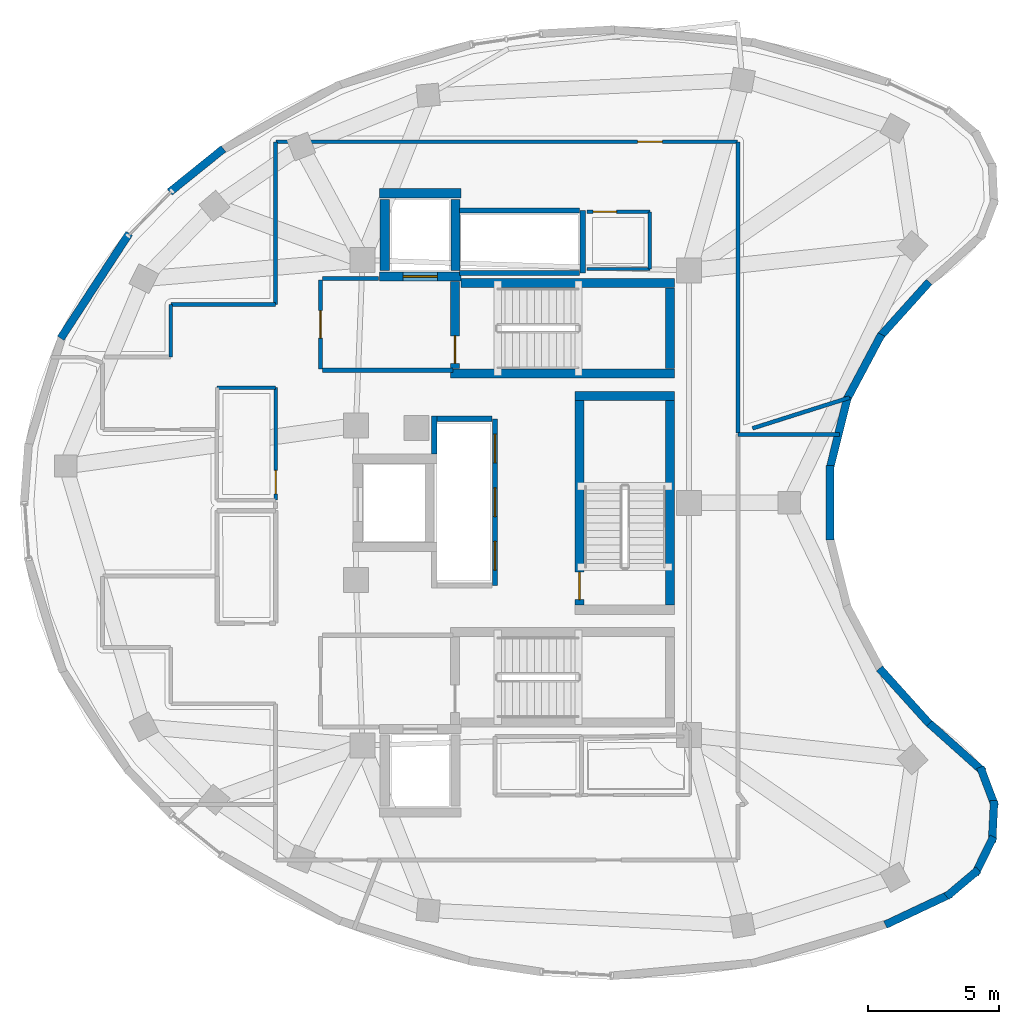
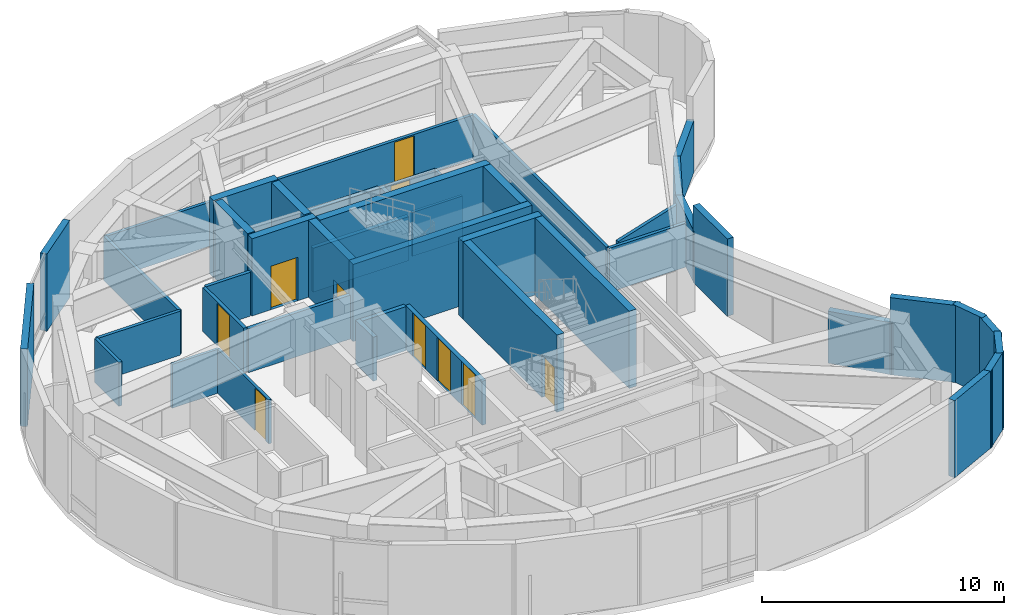
# One storey, part 5 of 8: 45 walls, 10 doors, 10 openings.
"""IFC4 building model written with IfcOpenShell, lengths in metres."""

from ifc_helpers import new_model, si_unit, direction, frame, frame_2d, origin, place, context, subcontext, project, spatial, rectangle, extrude, material, layer, layer_set, type_object, element, fill, save


model = new_model("IFC4")

# Units and contexts
model_context = context("Model", 3, precision=1e-05, world=origin(), true_north=direction((0.0, 1.0)))
body_context = subcontext(model_context, "Body", "Model", "MODEL_VIEW")
ifc_project = project(units=[si_unit("LENGTHUNIT", "METRE"), si_unit("AREAUNIT", "SQUARE_METRE"), si_unit("VOLUMEUNIT", "CUBIC_METRE"), si_unit("PLANEANGLEUNIT", "RADIAN"), si_unit("MASSUNIT", "GRAM", prefix="KILO")], contexts=[model_context])

# Site, building, storey
site_placement = place(None, origin())
site = spatial("IfcSite", under=ifc_project, at=site_placement, CompositionType="ELEMENT")
building_placement = place(site_placement, origin())
building = spatial("IfcBuilding", under=site, at=building_placement, Name="Korentha Bioscience Tower", CompositionType="ELEMENT")
storey_placement = place(building_placement, frame((0.0, 0.0, 301.800048828125)))
storey = spatial("IfcBuildingStorey", under=building, at=storey_placement, Name="L69", CompositionType="ELEMENT", Elevation=301.800048828125)

# Wall, opening, door
ifc_material_1 = material(Name="Double-Stud Acoustic Gypsum", Category="gypsum")
ifc_layer_1 = layer(ifc_material_1, 0.14990234375, Name="Double-Stud Acoustic Gypsum")
ifc_layer_set_1 = layer_set([ifc_layer_1], Name="Double-Stud Acoustic Gypsum (IW-L150)")
wall_type_1 = type_object("IfcWallType", Name="Acoustic Laboratory Partition Wall 150", PredefinedType="PARTITIONING", material=ifc_layer_set_1)
wall_1_placement = place(storey_placement, frame((39.39990234375, 40.760009765625, 0.0), z_axis=(0.0, 0.0, 1.0), x_axis=(-1.0, 0.0, 0.0)))
wall_1 = element("IfcWall", 1, at=wall_1_placement, inside=storey, type_object=wall_type_1, Name="L69 Peer-Review Conference Room 05 Entrance Wall", PredefinedType="PARTITIONING", context=body_context, shape_type="SweptSolid", body=[
    extrude(rectangle(XDim=17.599853515625, YDim=0.14990234375, at=frame_2d((8.7998046875, 0.0))), origin(), (0.0, 0.0, 1.0), 2.219970703125),
])
opening_1_placement = place(wall_1_placement, frame((2.867919921875, 0.0, 0.0)))
opening_1 = element("IfcOpeningElement", 2, at=opening_1_placement, cuts=wall_1, Name="Opening ID-10R", PredefinedType="OPENING", context=body_context, shape_type="SweptSolid", body=[
    extrude(rectangle(XDim=0.949951171875, YDim=2.14990234375, at=frame_2d((0.47509765625, 1.074951171875))), frame((0.0, 0.08984375, 0.0), z_axis=(0.0, -1.0, 0.0), x_axis=(1.0, 0.0, 0.0)), (0.0, 0.0, 1.0), 0.1796875),
])
ifc_material_2 = material(Name="Phenolic Laminate Timber Core", Category="wood")
door_type_1 = type_object("IfcDoorType", Name="Laboratory Single Leaf Door 950x2150 Right", OperationType="SINGLE_SWING_RIGHT", PredefinedType="DOOR", material=ifc_material_2)
door_1_placement = place(opening_1_placement, origin())
door_1 = element("IfcDoor", 3, at=door_1_placement, inside=storey, type_object=door_type_1, Name="L69 Peer-Review Conference Room 05 Door", OperationType="SINGLE_SWING_RIGHT", OverallHeight=2.14990234375, OverallWidth=0.949951171875, PredefinedType="DOOR", context=body_context, shape_type="SweptSolid", body=[
    extrude(rectangle(XDim=0.949951171875, YDim=2.14990234375, at=frame_2d((0.47509765625, 1.074951171875))), frame((0.0, 0.02490234375, 0.0), z_axis=(0.0, -1.0, 0.0), x_axis=(1.0, 0.0, 0.0)), (0.0, 0.0, 1.0), 0.050048828125),
])
fill(opening_1, door_1)

# Walls
wall_2_placement = place(storey_placement, frame((39.409912109375, 29.597900390625, 0.0), z_axis=(0.0, 0.0, 1.0), x_axis=(1.0, 0.0, 0.0)))
element("IfcWall", 4, at=wall_2_placement, inside=storey, type_object=wall_type_1, Name="L69 Interior Partition 045", PredefinedType="PARTITIONING", context=body_context, shape_type="SweptSolid", body=[
    extrude(rectangle(XDim=3.86376953125, YDim=0.14990234375, at=frame_2d((1.931884765625, 0.0))), origin(), (0.0, 0.0, 1.0), 2.219970703125),
])
wall_3_placement = place(storey_placement, frame((43.66455078125, 31.00927734375, 0.0), z_axis=(0.0, 0.0, 1.0), x_axis=(-0.953321695373, -0.301956528545, 0.0)))
element("IfcWall", 5, at=wall_3_placement, inside=storey, type_object=wall_type_1, Name="L69 Interior Partition 048", PredefinedType="PARTITIONING", context=body_context, shape_type="SweptSolid", body=[
    extrude(rectangle(XDim=3.87939453125, YDim=0.14990234375, at=frame_2d((1.939697265625, 0.0))), origin(), (0.0, 0.0, 1.0), 2.219970703125),
])
wall_4_placement = place(storey_placement, frame((39.409912109375, 29.661865234375, 0.0), z_axis=(0.0, 0.0, 1.0), x_axis=(0.0, 1.0, 0.0)))
element("IfcWall", 6, at=wall_4_placement, inside=storey, type_object=wall_type_1, Name="L69 Interior Partition 049", PredefinedType="PARTITIONING", context=body_context, shape_type="SweptSolid", body=[
    extrude(rectangle(XDim=11.088134765625, YDim=0.14990234375, at=frame_2d((5.5439453125, 0.0))), origin(), (0.0, 0.0, 1.0), 2.219970703125),
])
wall_5_placement = place(storey_placement, frame((21.7900390625, 40.75, 0.0), z_axis=(0.0, 0.0, 1.0), x_axis=(0.0, -1.0, 0.0)))
element("IfcWall", 7, at=wall_5_placement, inside=storey, type_object=wall_type_1, Name="L69 Interior Partition 050", PredefinedType="PARTITIONING", context=body_context, shape_type="SweptSolid", body=[
    extrude(rectangle(XDim=6.18994140625, YDim=0.14990234375, at=frame_2d((3.094970703125, 0.0))), origin(), (0.0, 0.0, 1.0), 2.219970703125),
])
wall_6_placement = place(storey_placement, frame((21.7900390625, 34.56005859375, 0.0), z_axis=(0.0, 0.0, 1.0), x_axis=(-1.0, 0.0, 0.0)))
element("IfcWall", 8, at=wall_6_placement, inside=storey, type_object=wall_type_1, Name="L69 Interior Partition 051", PredefinedType="PARTITIONING", context=body_context, shape_type="SweptSolid", body=[
    extrude(rectangle(XDim=3.989990234375, YDim=0.14990234375, at=frame_2d((1.9951171875, 0.0))), origin(), (0.0, 0.0, 1.0), 2.219970703125),
])
wall_7_placement = place(storey_placement, frame((17.7900390625, 34.550048828125, 0.0), z_axis=(0.0, 0.0, 1.0), x_axis=(0.0, -1.0, 0.0)))
element("IfcWall", 9, at=wall_7_placement, inside=storey, type_object=wall_type_1, Name="L69 Interior Partition 052", PredefinedType="PARTITIONING", context=body_context, shape_type="SweptSolid", body=[
    extrude(rectangle(XDim=1.998046875, YDim=0.14990234375, at=frame_2d((0.9990234375, 0.0))), origin(), (0.0, 0.0, 1.0), 2.219970703125),
])

# Wall, opening, door
ifc_material_3 = material(Name="Gypsum-Clad Steel Stud", Category="steel")
ifc_layer_2 = layer(ifc_material_3, 0.159912109375, Name="Gypsum-Clad Steel Stud")
ifc_layer_set_2 = layer_set([ifc_layer_2], Name="Gypsum-Clad Steel Stud (IW-C160)")
wall_type_2 = type_object("IfcWallType", Name="Fire-Rated Corridor Partition Wall 160", PredefinedType="PARTITIONING", material=ifc_layer_set_2)
wall_8_placement = place(storey_placement, frame((23.5, 32.10009765625, 0.0), z_axis=(0.0, 0.0, 1.0), x_axis=(0.0, 1.0, 0.0)))
wall_8 = element("IfcWall", 10, at=wall_8_placement, inside=storey, type_object=wall_type_2, Name="L69 FFLN-CW Rated Enclosure Wall", PredefinedType="PARTITIONING", context=body_context, shape_type="SweptSolid", body=[
    extrude(rectangle(XDim=3.39990234375, YDim=0.159912109375, at=frame_2d((1.699951171875, 0.0))), origin(), (0.0, 0.0, 1.0), 2.219970703125),
])
opening_2_placement = place(wall_8_placement, frame((1.175048828125, 0.0, 0.0)))
opening_2 = element("IfcOpeningElement", 11, at=opening_2_placement, cuts=wall_8, Name="Opening FD-90R", PredefinedType="OPENING", context=body_context, shape_type="SweptSolid", body=[
    extrude(rectangle(XDim=1.050048828125, YDim=2.14990234375, at=frame_2d((0.52490234375, 1.074951171875))), frame((0.0, 0.0947265625, 0.0), z_axis=(0.0, -1.0, 0.0), x_axis=(1.0, 0.0, 0.0)), (0.0, 0.0, 1.0), 0.189697265625),
])
ifc_material_4 = material(Name="Powder-Coated Fire-Rated Steel", Category="steel")
door_type_2 = type_object("IfcDoorType", Name="Stairwell Fire Exit Door 1050x2150 Right", OperationType="SINGLE_SWING_RIGHT", PredefinedType="DOOR", material=ifc_material_4)
door_2_placement = place(opening_2_placement, origin())
door_2 = element("IfcDoor", 12, at=door_2_placement, inside=storey, type_object=door_type_2, Name="L69 North Firefighting Lobby Door", OperationType="SINGLE_SWING_RIGHT", OverallHeight=2.14990234375, OverallWidth=1.050048828125, PredefinedType="DOOR", context=body_context, shape_type="SweptSolid", body=[
    extrude(rectangle(XDim=1.050048828125, YDim=2.14990234375, at=frame_2d((0.52490234375, 1.074951171875))), frame((0.0, 0.02490234375, 0.0), z_axis=(0.0, -1.0, 0.0), x_axis=(1.0, 0.0, 0.0)), (0.0, 0.0, 1.0), 0.050048828125),
])
fill(opening_2, door_2)

# Walls
wall_9_placement = place(storey_placement, frame((23.580078125, 32.050048828125, 0.0), z_axis=(0.0, 0.0, 1.0), x_axis=(1.0, 0.0, 0.0)))
element("IfcWall", 13, at=wall_9_placement, inside=storey, type_object=wall_type_2, Name="L69 Firefighting Lobby Return Wall FFLN-S", PredefinedType="PARTITIONING", context=body_context, shape_type="SweptSolid", body=[
    extrude(rectangle(XDim=4.969970703125, YDim=0.159912109375, at=frame_2d((2.48486328125, 0.0))), origin(), (0.0, 0.0, 1.0), 2.219970703125),
])
wall_10_placement = place(storey_placement, frame((23.580078125, 35.550048828125, 0.0), z_axis=(0.0, 0.0, 1.0), x_axis=(1.0, 0.0, 0.0)))
element("IfcWall", 14, at=wall_10_placement, inside=storey, type_object=wall_type_2, Name="L69 Firefighting Lobby Return Wall FFLN-N", PredefinedType="PARTITIONING", context=body_context, shape_type="SweptSolid", body=[
    extrude(rectangle(XDim=2.119873046875, YDim=0.159912109375, at=frame_2d((1.06005859375, 0.0))), origin(), (0.0, 0.0, 1.0), 2.219970703125),
])
ifc_material_5 = material(Name="Honed Limestone Precast Concrete C40", Category="masonry")
ifc_layer_3 = layer(ifc_material_5, 0.300048828125, Name="Honed Limestone Precast Concrete C40")
ifc_layer_set_3 = layer_set([ifc_layer_3], Name="Honed Limestone Precast Concrete C40 (EW-ST300)")
wall_type_3 = type_object("IfcWallType", Name="Honed Limestone Cavity Spandrel Wall 300", PredefinedType="STANDARD", material=ifc_layer_set_3)
wall_11_placement = place(storey_placement, frame((19.7998046875, 40.49267578125, 0.0), z_axis=(0.0, 0.0, 1.0), x_axis=(-0.778800498168, -0.627271698751, 0.0)))
element("IfcWall", 15, at=wall_11_placement, inside=storey, type_object=wall_type_3, Name="L69 Limestone Perimeter Closure Wall 12", PredefinedType="STANDARD", context=body_context, shape_type="SweptSolid", body=[
    extrude(rectangle(XDim=2.631103515625, YDim=0.300048828125, at=frame_2d((1.3154296875, 0.0))), origin(), (0.0, 0.0, 1.0), 3.89990234375),
])
wall_12_placement = place(storey_placement, frame((16.20849609375, 37.2685546875, 0.0), z_axis=(0.0, 0.0, 1.0), x_axis=(-0.546723072071, -0.837313491152, 0.0)))
element("IfcWall", 16, at=wall_12_placement, inside=storey, type_object=wall_type_3, Name="L69 Limestone Perimeter Closure Wall 14", PredefinedType="STANDARD", context=body_context, shape_type="SweptSolid", body=[
    extrude(rectangle(XDim=4.775390625, YDim=0.300048828125, at=frame_2d((2.3876953125, 0.0))), origin(), (0.0, 0.0, 1.0), 3.89990234375),
])
wall_13_placement = place(storey_placement, frame((45.027587890625, 10.917236328125, 0.0), z_axis=(0.0, 0.0, 1.0), x_axis=(0.904397474905, 0.426690997545, 0.0)))
element("IfcWall", 17, at=wall_13_placement, inside=storey, type_object=wall_type_3, Name="L69 Limestone Perimeter Closure Wall 36", PredefinedType="STANDARD", context=body_context, shape_type="SweptSolid", body=[
    extrude(rectangle(XDim=2.76123046875, YDim=0.300048828125, at=frame_2d((1.380615234375, 0.0))), origin(), (0.0, 0.0, 1.0), 3.89990234375),
])
for number, where, z_axis, x_axis, name in (
    (18, (47.361083984375, 11.990234375, 0.0), (0.0, 0.0, 1.0), (0.764911198117, 0.644135745783, 0.0), "L69 Limestone Perimeter Closure Wall 37"),
    (19, (48.444580078125, 12.845703125, 0.0), (0.0, 0.0, 1.0), (0.444199538262, 0.895927882258, 0.0), "L69 Limestone Perimeter Closure Wall 38"),
    (20, (49.096435546875, 14.0625, 0.0), (0.0, 0.0, 1.0), (0.04947778803, 0.998775224208, 0.0), "L69 Limestone Perimeter Closure Wall 39"),
    (21, (49.208251953125, 15.438232421875, 0.0), (0.0, 0.0, 1.0), (-0.353546976078, 0.935416771127, 0.0), "L69 Limestone Perimeter Closure Wall 40"),
):
    element("IfcWall", number, at=place(storey_placement, frame(where, z_axis=z_axis, x_axis=x_axis)), inside=storey, type_object=wall_type_3, Name=name, PredefinedType="STANDARD", context=body_context, shape_type="SweptSolid", body=[
        extrude(rectangle(XDim=1.5888671875, YDim=0.300048828125, at=frame_2d((0.79443359375, 0.0))), origin(), (0.0, 0.0, 1.0), 3.89990234375),
    ])
wall_14_placement = place(storey_placement, frame((48.772216796875, 16.74169921875, 0.0), z_axis=(0.0, 0.0, 1.0), x_axis=(-0.745805540728, 0.666163715178, 0.0)))
element("IfcWall", 22, at=wall_14_placement, inside=storey, type_object=wall_type_3, Name="L69 Limestone Perimeter Closure Wall 41", PredefinedType="STANDARD", context=body_context, shape_type="SweptSolid", body=[
    extrude(rectangle(XDim=2.91845703125, YDim=0.300048828125, at=frame_2d((1.459228515625, 0.0))), origin(), (0.0, 0.0, 1.0), 3.89990234375),
])
wall_15_placement = place(storey_placement, frame((46.697998046875, 18.583984375, 0.0), z_axis=(0.0, 0.0, 1.0), x_axis=(-0.66919836837, 0.743083806694, 0.0)))
element("IfcWall", 23, at=wall_15_placement, inside=storey, type_object=wall_type_3, Name="L69 Limestone Perimeter Closure Wall 43", PredefinedType="STANDARD", context=body_context, shape_type="SweptSolid", body=[
    extrude(rectangle(XDim=2.82861328125, YDim=0.300048828125, at=frame_2d((1.414306640625, 0.0))), origin(), (0.0, 0.0, 1.0), 2.625),
])
wall_16_placement = place(storey_placement, frame((42.92431640625, 25.585693359375, 0.0), z_axis=(0.0, 0.0, 1.0), x_axis=(0.0, 1.0, 0.0)))
element("IfcWall", 24, at=wall_16_placement, inside=storey, type_object=wall_type_3, Name="L69 Limestone Perimeter Closure Wall 49", PredefinedType="STANDARD", context=body_context, shape_type="SweptSolid", body=[
    extrude(rectangle(XDim=2.82861328125, YDim=0.300048828125, at=frame_2d((1.414306640625, 0.0))), origin(), (0.0, 0.0, 1.0), 3.89990234375),
])
for number, where, z_axis, x_axis, name in (
    (25, (42.9091796875, 28.29052734375, 0.0), (0.0, 0.0, 1.0), (0.241926331659, 0.970294620231, 0.0), "L69 Limestone Perimeter Closure Wall 51"),
    (26, (43.548828125, 30.918701171875, 0.0), (0.0, 0.0, 1.0), (0.469445489529, 0.882961455761, 0.0), "L69 Limestone Perimeter Closure Wall 53"),
    (27, (44.80517578125, 33.314208984375, 0.0), (0.0, 0.0, 1.0), (0.66919836837, 0.743083806694, 0.0), "L69 Limestone Perimeter Closure Wall 55"),
):
    element("IfcWall", number, at=place(storey_placement, frame(where, z_axis=z_axis, x_axis=x_axis)), inside=storey, type_object=wall_type_3, Name=name, PredefinedType="STANDARD", context=body_context, shape_type="SweptSolid", body=[
        extrude(rectangle(XDim=2.82861328125, YDim=0.300048828125, at=frame_2d((1.414306640625, 0.0))), origin(), (0.0, 0.0, 1.0), 2.625),
    ])
ifc_material_6 = material(Name="Autoclaved Aerated Concrete Block C25", Category="concrete")
ifc_layer_4 = layer(ifc_material_6, 0.199951171875, Name="Autoclaved Aerated Concrete Block C25")
ifc_layer_set_4 = layer_set([ifc_layer_4], Name="Autoclaved Aerated Concrete Block C25 (IW-S200)")
wall_type_4 = type_object("IfcWallType", Name="Lift and Riser Shaft Enclosure Wall 200", PredefinedType="PARTITIONING", material=ifc_layer_set_4)
wall_17_placement = place(storey_placement, frame((27.830078125, 28.85888671875, 0.0), z_axis=(0.0, 0.0, 1.0), x_axis=(0.0, 1.0, 0.0)))
element("IfcWall", 28, at=wall_17_placement, inside=storey, type_object=wall_type_4, Name="L69 Lift Bank HIGH Shaft Wall -XN", PredefinedType="PARTITIONING", context=body_context, shape_type="SweptSolid", body=[
    extrude(rectangle(XDim=1.441162109375, YDim=0.199951171875, at=frame_2d((0.720703125, 0.0))), origin(), (0.0, 0.0, 1.0), 2.219970703125),
])

# Wall, openings, doors
wall_18_placement = place(storey_placement, frame((30.14990234375, 23.85009765625, 0.0), z_axis=(0.0, 0.0, 1.0), x_axis=(0.0, 1.0, 0.0)))
wall_18 = element("IfcWall", 29, at=wall_18_placement, inside=storey, type_object=wall_type_4, Name="L69 Lift Bank HIGH Shaft Wall +X", PredefinedType="PARTITIONING", context=body_context, shape_type="SweptSolid", body=[
    extrude(rectangle(XDim=6.349853515625, YDim=0.199951171875, at=frame_2d((3.1748046875, 0.0))), origin(), (0.0, 0.0, 1.0), 2.219970703125),
])
opening_3_placement = place(wall_18_placement, frame((0.580078125, 0.0, 0.0)))
opening_3 = element("IfcOpeningElement", 30, at=opening_3_placement, cuts=wall_18, Name="Opening LD-11", PredefinedType="OPENING", context=body_context, shape_type="SweptSolid", body=[
    extrude(rectangle(XDim=1.10009765625, YDim=2.199951171875, at=frame_2d((0.550048828125, 1.10009765625))), frame((0.0, 0.11474609375, 0.0), z_axis=(0.0, -1.0, 0.0), x_axis=(1.0, 0.0, 0.0)), (0.0, 0.0, 1.0), 0.229736328125),
])
opening_4_placement = place(wall_18_placement, frame((2.6201171875, 0.0, 0.0)))
opening_4 = element("IfcOpeningElement", 31, at=opening_4_placement, cuts=wall_18, Name="Opening LD-11", PredefinedType="OPENING", context=body_context, shape_type="SweptSolid", body=[
    extrude(rectangle(XDim=1.10009765625, YDim=2.199951171875, at=frame_2d((0.550048828125, 1.10009765625))), frame((0.0, 0.11474609375, 0.0), z_axis=(0.0, -1.0, 0.0), x_axis=(1.0, 0.0, 0.0)), (0.0, 0.0, 1.0), 0.229736328125),
])
opening_5_placement = place(wall_18_placement, frame((4.669921875, 0.0, 0.0)))
opening_5 = element("IfcOpeningElement", 32, at=opening_5_placement, cuts=wall_18, Name="Opening LD-11", PredefinedType="OPENING", context=body_context, shape_type="SweptSolid", body=[
    extrude(rectangle(XDim=1.10009765625, YDim=2.199951171875, at=frame_2d((0.550048828125, 1.10009765625))), frame((0.0, 0.11474609375, 0.0), z_axis=(0.0, -1.0, 0.0), x_axis=(1.0, 0.0, 0.0)), (0.0, 0.0, 1.0), 0.229736328125),
])
ifc_material_7 = material(Name="Brushed Stainless Steel 304", Category="steel")
door_type_3 = type_object("IfcDoorType", Name="Passenger Lift Sliding Landing Door 1100x2200", OperationType="DOUBLE_DOOR_SLIDING", PredefinedType="DOOR", material=ifc_material_7)
door_3_placement = place(opening_3_placement, origin())
door_3 = element("IfcDoor", 33, at=door_3_placement, inside=storey, type_object=door_type_3, Name="L69 PL-H1 Sliding Lift Landing Door", OperationType="DOUBLE_DOOR_SLIDING", OverallHeight=2.199951171875, OverallWidth=1.10009765625, PredefinedType="DOOR", context=body_context, shape_type="SweptSolid", body=[
    extrude(rectangle(XDim=1.10009765625, YDim=2.199951171875, at=frame_2d((0.550048828125, 1.10009765625))), frame((0.0, 0.02490234375, 0.0), z_axis=(0.0, -1.0, 0.0), x_axis=(1.0, 0.0, 0.0)), (0.0, 0.0, 1.0), 0.050048828125),
])
fill(opening_3, door_3)
door_4_placement = place(opening_4_placement, origin())
door_4 = element("IfcDoor", 34, at=door_4_placement, inside=storey, type_object=door_type_3, Name="L69 PL-H2 Sliding Lift Landing Door", OperationType="DOUBLE_DOOR_SLIDING", OverallHeight=2.199951171875, OverallWidth=1.10009765625, PredefinedType="DOOR", context=body_context, shape_type="SweptSolid", body=[
    extrude(rectangle(XDim=1.10009765625, YDim=2.199951171875, at=frame_2d((0.550048828125, 1.10009765625))), frame((0.0, 0.02490234375, 0.0), z_axis=(0.0, -1.0, 0.0), x_axis=(1.0, 0.0, 0.0)), (0.0, 0.0, 1.0), 0.050048828125),
])
fill(opening_4, door_4)
door_5_placement = place(opening_5_placement, origin())
door_5 = element("IfcDoor", 35, at=door_5_placement, inside=storey, type_object=door_type_3, Name="L69 PL-H3 Sliding Lift Landing Door", OperationType="DOUBLE_DOOR_SLIDING", OverallHeight=2.199951171875, OverallWidth=1.10009765625, PredefinedType="DOOR", context=body_context, shape_type="SweptSolid", body=[
    extrude(rectangle(XDim=1.10009765625, YDim=2.199951171875, at=frame_2d((0.550048828125, 1.10009765625))), frame((0.0, 0.02490234375, 0.0), z_axis=(0.0, -1.0, 0.0), x_axis=(1.0, 0.0, 0.0)), (0.0, 0.0, 1.0), 0.050048828125),
])
fill(opening_5, door_5)

# Walls
wall_19_placement = place(storey_placement, frame((27.93408203125, 30.199951171875, 0.0), z_axis=(0.0, 0.0, 1.0), x_axis=(1.0, 0.0, 0.0)))
element("IfcWall", 36, at=wall_19_placement, inside=storey, type_object=wall_type_4, Name="L69 Lift Bank HIGH Shaft Wall +Y", PredefinedType="PARTITIONING", context=body_context, shape_type="SweptSolid", body=[
    extrude(rectangle(XDim=2.095947265625, YDim=0.199951171875, at=frame_2d((1.0478515625, 0.0))), origin(), (0.0, 0.0, 1.0), 2.219970703125),
])
wall_20_placement = place(storey_placement, frame((33.489990234375, 35.760009765625, 0.0), z_axis=(0.0, 0.0, 1.0), x_axis=(0.0, 1.0, 0.0)))
element("IfcWall", 37, at=wall_20_placement, inside=storey, type_object=wall_type_4, Name="L69 Lift Bank OBS Shaft Wall +X", PredefinedType="PARTITIONING", context=body_context, shape_type="SweptSolid", body=[
    extrude(rectangle(XDim=2.3798828125, YDim=0.199951171875, at=frame_2d((1.18994140625, 0.0))), origin(), (0.0, 0.0, 1.0), 2.219970703125),
])
for number, where, z_axis, x_axis, name in (
    (38, (28.800048828125, 35.760009765625, 0.0), (0.0, 0.0, 1.0), (1.0, 0.0, 0.0), "L69 Lift Bank OBS Shaft Wall -Y"),
    (39, (28.800048828125, 38.139892578125, 0.0), (0.0, 0.0, 1.0), (1.0, 0.0, 0.0), "L69 Lift Bank OBS Shaft Wall +Y"),
):
    element("IfcWall", number, at=place(storey_placement, frame(where, z_axis=z_axis, x_axis=x_axis)), inside=storey, type_object=wall_type_4, Name=name, PredefinedType="PARTITIONING", context=body_context, shape_type="SweptSolid", body=[
        extrude(rectangle(XDim=4.570068359375, YDim=0.199951171875, at=frame_2d((2.28515625, 0.0))), origin(), (0.0, 0.0, 1.0), 2.219970703125),
    ])
ifc_material_8 = material(Name="Concrete C50", Category="concrete")
ifc_layer_5 = layer(ifc_material_8, 0.35009765625, Name="Concrete C50")
ifc_layer_set_5 = layer_set([ifc_layer_5], Name="Concrete C50 (CW-C50)")
wall_type_5 = type_object("IfcWallType", Name="Upper Core Shear Wall 350", PredefinedType="SHEAR", material=ifc_layer_set_5)
wall_21_placement = place(storey_placement, frame((28.85205078125, 35.375, 0.0), z_axis=(0.0, 0.0, 1.0), x_axis=(1.0, 0.0, 0.0)))
element("IfcWall", 40, at=wall_21_placement, inside=storey, type_object=wall_type_5, Name="L69 Core Shear Wall ST1-N", PredefinedType="SHEAR", context=body_context, shape_type="SweptSolid", body=[
    extrude(rectangle(XDim=8.14794921875, YDim=0.35009765625, at=frame_2d((4.073974609375, 0.0))), origin(), (0.0, 0.0, 1.0), 3.89990234375),
])
wall_22_placement = place(storey_placement, frame((28.449951171875, 31.925048828125, 0.0), z_axis=(0.0, 0.0, 1.0), x_axis=(1.0, 0.0, 0.0)))
element("IfcWall", 41, at=wall_22_placement, inside=storey, type_object=wall_type_5, Name="L69 Core Shear Wall ST1-S", PredefinedType="SHEAR", context=body_context, shape_type="SweptSolid", body=[
    extrude(rectangle(XDim=8.550048828125, YDim=0.35009765625, at=frame_2d((4.27490234375, 0.0))), origin(), (0.0, 0.0, 1.0), 3.89990234375),
])
wall_23_placement = place(storey_placement, frame((36.824951171875, 32.110107421875, 0.0), z_axis=(0.0, 0.0, 1.0), x_axis=(0.0, 1.0, 0.0)))
element("IfcWall", 42, at=wall_23_placement, inside=storey, type_object=wall_type_5, Name="L69 Core Shear Wall ST1-E", PredefinedType="SHEAR", context=body_context, shape_type="SweptSolid", body=[
    extrude(rectangle(XDim=3.079833984375, YDim=0.35009765625, at=frame_2d((1.5400390625, 0.0))), origin(), (0.0, 0.0, 1.0), 3.89990234375),
])

# Wall, opening, door
wall_24_placement = place(storey_placement, frame((28.625, 32.110107421875, 0.0), z_axis=(0.0, 0.0, 1.0), x_axis=(0.0, 1.0, 0.0)))
wall_24 = element("IfcWall", 43, at=wall_24_placement, inside=storey, type_object=wall_type_5, Name="L69 Core Shear Wall ST1-W", PredefinedType="SHEAR", context=body_context, shape_type="SweptSolid", body=[
    extrude(rectangle(XDim=3.3330078125, YDim=0.35009765625, at=frame_2d((1.66650390625, 0.0))), origin(), (0.0, 0.0, 1.0), 3.89990234375),
])
opening_6_placement = place(wall_24_placement, frame((0.199951171875, 0.0, 0.0)))
opening_6 = element("IfcOpeningElement", 44, at=opening_6_placement, cuts=wall_24, Name="Opening FD-90R", PredefinedType="OPENING", context=body_context, shape_type="SweptSolid", body=[
    extrude(rectangle(XDim=1.050048828125, YDim=2.14990234375, at=frame_2d((0.52490234375, 1.074951171875))), frame((0.0, 0.18994140625, 0.0), z_axis=(0.0, -1.0, 0.0), x_axis=(1.0, 0.0, 0.0)), (0.0, 0.0, 1.0), 0.3798828125),
])
door_6_placement = place(opening_6_placement, origin())
door_6 = element("IfcDoor", 45, at=door_6_placement, inside=storey, type_object=door_type_2, Name="L69 ST-1 Fire Exit Stair Door", OperationType="SINGLE_SWING_RIGHT", OverallHeight=2.14990234375, OverallWidth=1.050048828125, PredefinedType="DOOR", context=body_context, shape_type="SweptSolid", body=[
    extrude(rectangle(XDim=1.050048828125, YDim=2.14990234375, at=frame_2d((0.52490234375, 1.074951171875))), frame((0.0, 0.02490234375, 0.0), z_axis=(0.0, -1.0, 0.0), x_axis=(1.0, 0.0, 0.0)), (0.0, 0.0, 1.0), 0.050048828125),
])
fill(opening_6, door_6)

# Walls
wall_25_placement = place(storey_placement, frame((33.199951171875, 31.074951171875, 0.0), z_axis=(0.0, 0.0, 1.0), x_axis=(1.0, 0.0, 0.0)))
element("IfcWall", 46, at=wall_25_placement, inside=storey, type_object=wall_type_5, Name="L69 Core Shear Wall ST3-N", PredefinedType="SHEAR", context=body_context, shape_type="SweptSolid", body=[
    extrude(rectangle(XDim=3.800048828125, YDim=0.35009765625, at=frame_2d((1.89990234375, 0.0))), origin(), (0.0, 0.0, 1.0), 3.89990234375),
])
wall_26_placement = place(storey_placement, frame((36.824951171875, 23.110107421875, 0.0), z_axis=(0.0, 0.0, 1.0), x_axis=(0.0, 1.0, 0.0)))
element("IfcWall", 47, at=wall_26_placement, inside=storey, type_object=wall_type_5, Name="L69 Core Shear Wall ST3-E", PredefinedType="SHEAR", context=body_context, shape_type="SweptSolid", body=[
    extrude(rectangle(XDim=7.77978515625, YDim=0.35009765625, at=frame_2d((3.889892578125, 0.0))), origin(), (0.0, 0.0, 1.0), 3.89990234375),
])

# Wall, opening, door
wall_27_placement = place(storey_placement, frame((33.375, 23.110107421875, 0.0), z_axis=(0.0, 0.0, 1.0), x_axis=(0.0, 1.0, 0.0)))
wall_27 = element("IfcWall", 48, at=wall_27_placement, inside=storey, type_object=wall_type_5, Name="L69 Core Shear Wall ST3-W", PredefinedType="SHEAR", context=body_context, shape_type="SweptSolid", body=[
    extrude(rectangle(XDim=7.77978515625, YDim=0.35009765625, at=frame_2d((3.889892578125, 0.0))), origin(), (0.0, 0.0, 1.0), 3.89990234375),
])
opening_7_placement = place(wall_27_placement, frame((0.199951171875, 0.0, 0.0)))
opening_7 = element("IfcOpeningElement", 49, at=opening_7_placement, cuts=wall_27, Name="Opening FD-90R", PredefinedType="OPENING", context=body_context, shape_type="SweptSolid", body=[
    extrude(rectangle(XDim=1.050048828125, YDim=2.14990234375, at=frame_2d((0.52490234375, 1.074951171875))), frame((0.0, 0.18994140625, 0.0), z_axis=(0.0, -1.0, 0.0), x_axis=(1.0, 0.0, 0.0)), (0.0, 0.0, 1.0), 0.3798828125),
])
door_7_placement = place(opening_7_placement, origin())
door_7 = element("IfcDoor", 50, at=door_7_placement, inside=storey, type_object=door_type_2, Name="L69 ST-3 Fire Exit Stair Door", OperationType="SINGLE_SWING_RIGHT", OverallHeight=2.14990234375, OverallWidth=1.050048828125, PredefinedType="DOOR", context=body_context, shape_type="SweptSolid", body=[
    extrude(rectangle(XDim=1.050048828125, YDim=2.14990234375, at=frame_2d((0.52490234375, 1.074951171875))), frame((0.0, 0.02490234375, 0.0), z_axis=(0.0, -1.0, 0.0), x_axis=(1.0, 0.0, 0.0)), (0.0, 0.0, 1.0), 0.050048828125),
])
fill(opening_7, door_7)

# Wall
wall_28_placement = place(storey_placement, frame((25.75, 38.800048828125, 0.0), z_axis=(0.0, 0.0, 1.0), x_axis=(1.0, 0.0, 0.0)))
element("IfcWall", 51, at=wall_28_placement, inside=storey, type_object=wall_type_5, Name="L69 Core Shear Wall FFL2-N", PredefinedType="SHEAR", context=body_context, shape_type="SweptSolid", body=[
    extrude(rectangle(XDim=3.10009765625, YDim=0.35009765625, at=frame_2d((1.550048828125, 0.0))), origin(), (0.0, 0.0, 1.0), 3.89990234375),
])

# Wall, opening, door
wall_29_placement = place(storey_placement, frame((25.75, 35.6201171875, 0.0), z_axis=(0.0, 0.0, 1.0), x_axis=(1.0, 0.0, 0.0)))
wall_29 = element("IfcWall", 52, at=wall_29_placement, inside=storey, type_object=wall_type_5, Name="L69 Core Shear Wall FFL2-S", PredefinedType="SHEAR", context=body_context, shape_type="SweptSolid", body=[
    extrude(rectangle(XDim=3.10009765625, YDim=0.35009765625, at=frame_2d((1.550048828125, 0.0))), origin(), (0.0, 0.0, 1.0), 3.89990234375),
])
opening_8_placement = place(wall_29_placement, frame((0.89990234375, 0.0, 0.0)))
opening_8 = element("IfcOpeningElement", 53, at=opening_8_placement, cuts=wall_29, Name="Opening LD-13", PredefinedType="OPENING", context=body_context, shape_type="SweptSolid", body=[
    extrude(rectangle(XDim=1.300048828125, YDim=2.199951171875, at=frame_2d((0.64990234375, 1.10009765625))), frame((0.0, 0.18994140625, 0.0), z_axis=(0.0, -1.0, 0.0), x_axis=(1.0, 0.0, 0.0)), (0.0, 0.0, 1.0), 0.3798828125),
])
ifc_material_9 = material(Name="Brushed Stainless Steel 316", Category="steel")
door_type_4 = type_object("IfcDoorType", Name="Service & Firefighting Lift Landing Door 1300x2300", OperationType="DOUBLE_DOOR_SLIDING", PredefinedType="DOOR", material=ifc_material_9)
door_8_placement = place(opening_8_placement, origin())
door_8 = element("IfcDoor", 54, at=door_8_placement, inside=storey, type_object=door_type_4, Name="L69 FFL-2 Sliding Lift Landing Door", OperationType="DOUBLE_DOOR_SLIDING", OverallHeight=2.199951171875, OverallWidth=1.300048828125, PredefinedType="DOOR", context=body_context, shape_type="SweptSolid", body=[
    extrude(rectangle(XDim=1.300048828125, YDim=2.199951171875, at=frame_2d((0.64990234375, 1.10009765625))), frame((0.0, 0.02490234375, 0.0), z_axis=(0.0, -1.0, 0.0), x_axis=(1.0, 0.0, 0.0)), (0.0, 0.0, 1.0), 0.050048828125),
])
fill(opening_8, door_8)

# Walls
for number, where, z_axis, x_axis, name in (
    (55, (25.949951171875, 35.860107421875, 0.0), (0.0, 0.0, 1.0), (0.0, 1.0, 0.0), "L69 Core Shear Wall FFL2-W"),
    (56, (28.64990234375, 35.860107421875, 0.0), (0.0, 0.0, 1.0), (0.0, 1.0, 0.0), "L69 Core Shear Wall FFL2-E"),
):
    element("IfcWall", number, at=place(storey_placement, frame(where, z_axis=z_axis, x_axis=x_axis)), inside=storey, type_object=wall_type_5, Name=name, PredefinedType="SHEAR", context=body_context, shape_type="SweptSolid", body=[
        extrude(rectangle(XDim=2.699951171875, YDim=0.35009765625, at=frame_2d((1.35009765625, 0.0))), origin(), (0.0, 0.0, 1.0), 3.89990234375),
    ])

# Wall, opening, door
ifc_material_10 = material(Name="Cement-Board Steel Stud", Category="steel")
ifc_layer_6 = layer(ifc_material_10, 0.1298828125, Name="Cement-Board Steel Stud")
ifc_layer_set_6 = layer_set([ifc_layer_6], Name="Cement-Board Steel Stud (IW-W130)")
wall_type_6 = type_object("IfcWallType", Name="Wet-Area Moisture-Resistant Partition 130", PredefinedType="PARTITIONING", material=ifc_layer_set_6)
wall_30_placement = place(storey_placement, frame((33.64990234375, 38.090087890625, 0.0), z_axis=(0.0, 0.0, 1.0), x_axis=(1.0, 0.0, 0.0)))
wall_30 = element("IfcWall", 57, at=wall_30_placement, inside=storey, type_object=wall_type_6, Name="L69 Accessible Staff WC Entrance Wall", PredefinedType="PARTITIONING", context=body_context, shape_type="SweptSolid", body=[
    extrude(rectangle(XDim=2.400146484375, YDim=0.1298828125, at=frame_2d((1.2001953125, 0.0))), origin(), (0.0, 0.0, 1.0), 2.219970703125),
])
opening_9_placement = place(wall_30_placement, frame((0.239990234375, 0.0, 0.0)))
opening_9 = element("IfcOpeningElement", 58, at=opening_9_placement, cuts=wall_30, Name="Opening ID-09L", PredefinedType="OPENING", context=body_context, shape_type="SweptSolid", body=[
    extrude(rectangle(XDim=0.89990234375, YDim=2.14990234375, at=frame_2d((0.449951171875, 1.074951171875))), frame((0.0, 0.079833984375, 0.0), z_axis=(0.0, -1.0, 0.0), x_axis=(1.0, 0.0, 0.0)), (0.0, 0.0, 1.0), 0.15966796875),
])
ifc_material_11 = material(Name="Moisture-Resistant HPL Leaf", Category="wood")
door_type_5 = type_object("IfcDoorType", Name="Restroom & Accessible WC Door 900x2150 Left", OperationType="SINGLE_SWING_LEFT", PredefinedType="DOOR", material=ifc_material_11)
door_9_placement = place(opening_9_placement, origin())
door_9 = element("IfcDoor", 59, at=door_9_placement, inside=storey, type_object=door_type_5, Name="L69 Accessible Staff WC Door", OperationType="SINGLE_SWING_LEFT", OverallHeight=2.14990234375, OverallWidth=0.89990234375, PredefinedType="DOOR", context=body_context, shape_type="SweptSolid", body=[
    extrude(rectangle(XDim=0.89990234375, YDim=2.14990234375, at=frame_2d((0.449951171875, 1.074951171875))), frame((0.0, 0.02490234375, 0.0), z_axis=(0.0, -1.0, 0.0), x_axis=(1.0, 0.0, 0.0)), (0.0, 0.0, 1.0), 0.050048828125),
])
fill(opening_9, door_9)

wall_31_placement = place(storey_placement, frame((21.7900390625, 31.389892578125, 0.0), z_axis=(0.0, 0.0, 1.0), x_axis=(0.0, -1.0, 0.0)))
wall_31 = element("IfcWall", 60, at=wall_31_placement, inside=storey, type_object=wall_type_6, Name="L69 Reclaimed Bank-2 Accessible Staff WC Entrance Wall", PredefinedType="PARTITIONING", context=body_context, shape_type="SweptSolid", body=[
    extrude(rectangle(XDim=4.289794921875, YDim=0.1298828125, at=frame_2d((2.14501953125, 0.0))), origin(), (0.0, 0.0, 1.0), 2.219970703125),
])
opening_10_placement = place(wall_31_placement, frame((3.14990234375, 0.0, 0.0)))
opening_10 = element("IfcOpeningElement", 61, at=opening_10_placement, cuts=wall_31, Name="Opening ID-09L", PredefinedType="OPENING", context=body_context, shape_type="SweptSolid", body=[
    extrude(rectangle(XDim=0.89990234375, YDim=2.14990234375, at=frame_2d((0.449951171875, 1.074951171875))), frame((0.0, 0.079833984375, 0.0), z_axis=(0.0, -1.0, 0.0), x_axis=(1.0, 0.0, 0.0)), (0.0, 0.0, 1.0), 0.15966796875),
])
door_10_placement = place(opening_10_placement, origin())
door_10 = element("IfcDoor", 62, at=door_10_placement, inside=storey, type_object=door_type_5, Name="L69 Reclaimed Bank-2 Accessible Staff WC Door", OperationType="SINGLE_SWING_LEFT", OverallHeight=2.14990234375, OverallWidth=0.89990234375, PredefinedType="DOOR", context=body_context, shape_type="SweptSolid", body=[
    extrude(rectangle(XDim=0.89990234375, YDim=2.14990234375, at=frame_2d((0.449951171875, 1.074951171875))), frame((0.0, 0.02490234375, 0.0), z_axis=(0.0, -1.0, 0.0), x_axis=(1.0, 0.0, 0.0)), (0.0, 0.0, 1.0), 0.050048828125),
])
fill(opening_10, door_10)

# Walls
wall_32_placement = place(storey_placement, frame((36.050048828125, 35.909912109375, 0.0), z_axis=(0.0, 0.0, 1.0), x_axis=(-1.0, 0.0, 0.0)))
element("IfcWall", 63, at=wall_32_placement, inside=storey, type_object=wall_type_6, Name="L69 Interior Partition 013", PredefinedType="PARTITIONING", context=body_context, shape_type="SweptSolid", body=[
    extrude(rectangle(XDim=2.400146484375, YDim=0.1298828125, at=frame_2d((1.2001953125, 0.0))), origin(), (0.0, 0.0, 1.0), 2.219970703125),
])
wall_33_placement = place(storey_placement, frame((36.050048828125, 38.090087890625, 0.0), z_axis=(0.0, 0.0, 1.0), x_axis=(0.0, -1.0, 0.0)))
element("IfcWall", 64, at=wall_33_placement, inside=storey, type_object=wall_type_6, Name="L69 Interior Partition 014", PredefinedType="PARTITIONING", context=body_context, shape_type="SweptSolid", body=[
    extrude(rectangle(XDim=2.18017578125, YDim=0.1298828125, at=frame_2d((1.090087890625, 0.0))), origin(), (0.0, 0.0, 1.0), 2.219970703125),
])
wall_34_placement = place(storey_placement, frame((19.56005859375, 31.389892578125, 0.0), z_axis=(0.0, 0.0, 1.0), x_axis=(1.0, 0.0, 0.0)))
element("IfcWall", 65, at=wall_34_placement, inside=storey, type_object=wall_type_6, Name="L69 Interior Partition 021", PredefinedType="PARTITIONING", context=body_context, shape_type="SweptSolid", body=[
    extrude(rectangle(XDim=2.22998046875, YDim=0.1298828125, at=frame_2d((1.114990234375, 0.0))), origin(), (0.0, 0.0, 1.0), 2.219970703125),
])

save(model, "model.ifc")
